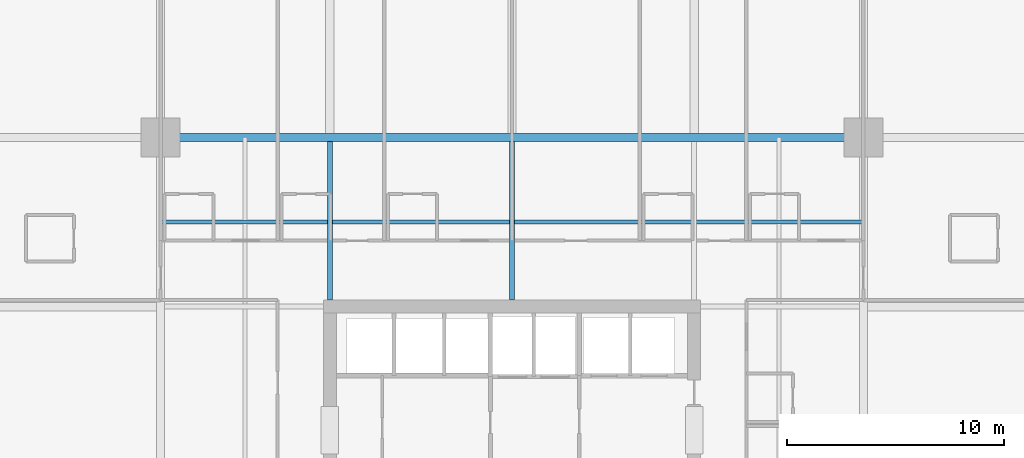
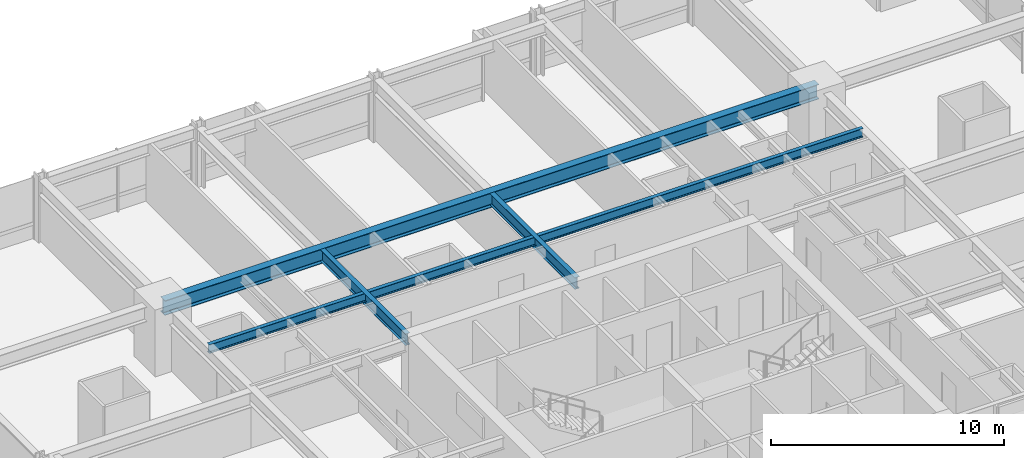
# One storey, part 20 of 38: 4 beams.
"""IFC4 building model written with IfcOpenShell, lengths in metres."""

import ifcopenshell
import ifcopenshell.guid

model = None  # the IFC model being written
_history = None  # IfcOwnerHistory: only IFC2X3 demands one
_inside = {}  # id of a spatial element -> (the spatial element, [elements in it])
_under = {}  # id of a project, library or spatial element -> (it, [spatial elements below it])
_declared = {}  # id of a project -> (the project, [libraries it declares])
_typed = {}  # id of a type object -> (the type object, [elements of that type])
_made_of = {}  # id of a material, layer set ... -> (it, [elements and type objects made of it])


def new_model(schema):
    """Start an empty IFC model of exactly this schema.

    Asked for "IFC4X3", IfcOpenShell would pick the latest addendum, in which some entities
    have other attributes; the version numbers below select the first issue.
    IFC2X3 requires an IfcOwnerHistory on every rooted entity: one is made here for all.
    """
    global model, _history
    if schema == "IFC4X3":
        model = ifcopenshell.file(schema_version=(4, 3, 0, 0))
    else:
        model = ifcopenshell.file(schema=schema)
    _inside.clear()
    _under.clear()
    _declared.clear()
    _typed.clear()
    _made_of.clear()
    _history = None
    if model.schema == "IFC2X3":
        org = make("IfcOrganization", Name="unknown")
        user = make(
            "IfcPersonAndOrganization",
            ThePerson=make("IfcPerson", FamilyName="unknown"),
            TheOrganization=org,
        )
        app = make(
            "IfcApplication",
            ApplicationDeveloper=org,
            Version="unknown",
            ApplicationFullName="unknown",
            ApplicationIdentifier="unknown",
        )
        _history = make(
            "IfcOwnerHistory",
            OwningUser=user,
            OwningApplication=app,
            ChangeAction="ADDED",
            CreationDate=0,
        )
    return model


def make(cls, **values):
    """One entity of the class cls with the attributes given. An attribute that is None is left unset."""
    return model.create_entity(
        cls, **{name: value for name, value in values.items() if value is not None}
    )


def rooted(cls, **values):
    """An entity with a GlobalId (a new one), such as an element, a storey or a relation."""
    return make(cls, GlobalId=ifcopenshell.guid.new(), OwnerHistory=_history, **values)


def si_unit(unit_type, name, prefix=None):
    """IfcSIUnit, for example si_unit("LENGTHUNIT", "METRE", prefix="MILLI")."""
    return make("IfcSIUnit", UnitType=unit_type, Prefix=prefix, Name=name)


def assignment(units):
    """IfcUnitAssignment: the units of a project."""
    return None if units is None else make("IfcUnitAssignment", Units=units)


def point(xyz):
    """IfcCartesianPoint."""
    return None if xyz is None else make("IfcCartesianPoint", Coordinates=xyz)


def direction(xyz):
    """IfcDirection."""
    return None if xyz is None else make("IfcDirection", DirectionRatios=xyz)


def frame(location, z_axis=None, x_axis=None):
    """IfcAxis2Placement3D, a coordinate frame: its origin and axes. An axis left out is left unset."""
    return make(
        "IfcAxis2Placement3D",
        Location=point(location),
        Axis=direction(z_axis),
        RefDirection=direction(x_axis),
    )


def frame_2d(location, x_axis=None):
    """IfcAxis2Placement2D, a coordinate frame in the plane: its origin and x axis."""
    return make(
        "IfcAxis2Placement2D", Location=point(location), RefDirection=direction(x_axis)
    )


def origin():
    """The frame at (0, 0, 0) with its axes left unset."""
    return frame((0.0, 0.0, 0.0))


def origin_2d():
    """The frame at (0, 0) in the plane with its x axis left unset."""
    return frame_2d((0.0, 0.0))


def place(relative_to, where):
    """IfcLocalPlacement: puts the frame where relative to a parent placement (None: the world)."""
    return make(
        "IfcLocalPlacement", PlacementRelTo=relative_to, RelativePlacement=where
    )


def context(
    kind, dimensions, precision=None, world=None, true_north=None, identifier=None
):
    """IfcGeometricRepresentationContext, for example the 3D "Model" context."""
    return make(
        "IfcGeometricRepresentationContext",
        ContextIdentifier=identifier,
        ContextType=kind,
        CoordinateSpaceDimension=dimensions,
        Precision=precision,
        WorldCoordinateSystem=world,
        TrueNorth=true_north,
    )


def subcontext(parent, identifier, kind, view, scale=None):
    """IfcGeometricRepresentationSubContext, for example "Body" below "Model"."""
    return make(
        "IfcGeometricRepresentationSubContext",
        ContextIdentifier=identifier,
        ContextType=kind,
        ParentContext=parent,
        TargetScale=scale,
        TargetView=view,
    )


def project(units=None, contexts=None):
    """IfcProject with its units and contexts."""
    return rooted(
        "IfcProject",
        Name="project",
        RepresentationContexts=contexts,
        UnitsInContext=assignment(units),
    )


def spatial(cls, under=None, at=None, **own):
    """A site, building, storey or space (cls), placed at a placement, below another one or the project."""
    s = rooted(cls, ObjectPlacement=at, **own)
    if under is not None:
        _under.setdefault(under.id(), (under, []))[1].append(s)
    return s


def profile(cls, at=None, kind="AREA", **sizes):
    """A parametric profile (cls). Its sizes go by their IFC names, for example OverallWidth=200.0."""
    return make(cls, ProfileType=kind, Position=at, **sizes)


def i_section(**sizes):
    """IfcIShapeProfileDef."""
    return profile("IfcIShapeProfileDef", **sizes)


def extrude(swept, where, along, depth):
    """IfcExtrudedAreaSolid: the profile swept, set in the frame where, extruded along a direction by depth."""
    return make(
        "IfcExtrudedAreaSolid",
        SweptArea=swept,
        Position=where,
        ExtrudedDirection=direction(along),
        Depth=depth,
    )


def shape(context_of_items, identifier, shape_type, items):
    """IfcShapeRepresentation: the items that make up one representation, for example the "Body"."""
    return make(
        "IfcShapeRepresentation",
        ContextOfItems=context_of_items,
        RepresentationIdentifier=identifier,
        RepresentationType=shape_type,
        Items=items,
    )


def material(Name=None, Category=None):
    """IfcMaterial."""
    return make("IfcMaterial", Name=Name, Category=Category)


def material_profile(
    of_material, cross_section, Name=None, Category=None, Priority=None
):
    """IfcMaterialProfile: a cross section and its material."""
    return make(
        "IfcMaterialProfile",
        Name=Name,
        Material=of_material,
        Profile=cross_section,
        Priority=Priority,
        Category=Category,
    )


def profile_set(profiles, Name=None, composite=None):
    """IfcMaterialProfileSet."""
    return make(
        "IfcMaterialProfileSet",
        Name=Name,
        MaterialProfiles=profiles,
        CompositeProfile=composite,
    )


def made_of(thing, what):
    """Note that an element or type object is made of a material, layer set ...; save() writes the relation."""
    if what is not None:
        _made_of.setdefault(what.id(), (what, []))[1].append(thing)
    return thing


def type_object(cls, material=None, **own):
    """A type object (cls), such as IfcWallType, which elements share."""
    return made_of(rooted(cls, **own), material)


def element(
    cls,
    number,
    at=None,
    inside=None,
    cuts=None,
    type_object=None,
    material=None,
    context=None,
    identifier="Body",
    shape_type=None,
    held_by="IfcProductDefinitionShape",
    body=None,
    shapes=None,
    **own,
):
    """One element of the class cls, such as IfcWall. Its Tag is "e" and its number.

    at: its placement. inside: the storey or other place that contains it. cuts: it is an
    opening in that element (IfcRelVoidsElement). A single representation is given by context,
    identifier, shape_type and body (its items); several are given by shapes. held_by: the class
    of the entity that holds the representations. save() writes the other relations.
    """
    e = rooted(cls, Tag="e%d" % number, ObjectPlacement=at, **own)
    if body is not None:
        shapes = [shape(context, identifier, shape_type, body)]
    if shapes is not None:
        e.Representation = make(held_by, Representations=shapes)
    if inside is not None:
        _inside.setdefault(inside.id(), (inside, []))[1].append(e)
    if cuts is not None:
        rooted(
            "IfcRelVoidsElement", RelatingBuildingElement=cuts, RelatedOpeningElement=e
        )
    if type_object is not None:
        _typed.setdefault(type_object.id(), (type_object, []))[1].append(e)
    return made_of(e, material)


def aggregate(whole, parts):
    """IfcRelAggregates: a whole, such as a stair, and the parts it consists of."""
    return rooted("IfcRelAggregates", RelatingObject=whole, RelatedObjects=parts)


def save(model, path):
    """Write the relations noted so far, then the file.

    IfcRelAggregates (storeys below a building ...), IfcRelContainedInSpatialStructure (elements
    in a storey), IfcRelDefinesByType, IfcRelAssociatesMaterial and IfcRelDeclares: one each for
    every whole, place, type object, material and project.
    """
    for whole, parts in _under.values():
        aggregate(whole, parts)
    for where, things in _inside.values():
        rooted(
            "IfcRelContainedInSpatialStructure",
            RelatedElements=things,
            RelatingStructure=where,
        )
    for kind, things in _typed.values():
        rooted("IfcRelDefinesByType", RelatedObjects=things, RelatingType=kind)
    for what, things in _made_of.values():
        rooted("IfcRelAssociatesMaterial", RelatedObjects=things, RelatingMaterial=what)
    for by, libraries in _declared.values():
        rooted("IfcRelDeclares", RelatingContext=by, RelatedDefinitions=libraries)
    model.write(path)


model = new_model("IFC4")

# Units and contexts
model_context = context("Model", 3, precision=1e-05, world=origin(), true_north=direction((0.0, 1.0)))
body_context = subcontext(model_context, "Body", "Model", "MODEL_VIEW")
ifc_project = project(units=[si_unit("LENGTHUNIT", "METRE"), si_unit("AREAUNIT", "SQUARE_METRE"), si_unit("VOLUMEUNIT", "CUBIC_METRE"), si_unit("PLANEANGLEUNIT", "RADIAN"), si_unit("MASSUNIT", "GRAM", prefix="KILO")], contexts=[model_context])

# Site, building, storey
site_placement = place(None, origin())
site = spatial("IfcSite", under=ifc_project, at=site_placement, CompositionType="ELEMENT")
building_placement = place(site_placement, origin())
building = spatial("IfcBuilding", under=site, at=building_placement, Name="Drelvath Grand Hotel", CompositionType="ELEMENT")
storey_placement = place(building_placement, frame((0.0, 0.0, 64.699951171875)))
storey = spatial("IfcBuildingStorey", under=building, at=storey_placement, Name="L15", CompositionType="ELEMENT", Elevation=64.699951171875)

# Beams
ifc_material = material(Name="Steel ASTM A992 Gr 50", Category="steel")
ifc_material_profile_1 = material_profile(ifc_material, i_section(OverallWidth=0.19140625, OverallDepth=0.4599609375, WebThickness=0.010009765625, FlangeThickness=0.01611328125, FilletRadius=0.01611328125, at=origin_2d()), Name="W18X55")
ifc_profile_set_1 = profile_set([ifc_material_profile_1], Name="Steel ASTM A992 Gr 50")
beam_type_1 = type_object("IfcBeamType", Name="Composite Floor Joist W18X55", PredefinedType="JOIST", material=ifc_profile_set_1)
beam_1_placement = place(storey_placement, frame((-16.199951171875, 39.300048828125, 3.010009765625), z_axis=(1.0, 0.0, 0.0), x_axis=(0.0, 1.0, 0.0)))
element("IfcBeam", 1, at=beam_1_placement, inside=storey, type_object=beam_type_1, Name="L15 Floor Joist J2", PredefinedType="JOIST", context=body_context, shape_type="SweptSolid", body=[
    extrude(i_section(OverallWidth=0.19140625, OverallDepth=0.4599609375, WebThickness=0.010009765625, FlangeThickness=0.01611328125, FilletRadius=0.01611328125, at=origin_2d()), origin(), (0.0, 0.0, 1.0), 32.39990234375),
])
ifc_material_profile_2 = material_profile(ifc_material, i_section(OverallWidth=0.228271484375, OverallDepth=0.607666015625, WebThickness=0.01123046875, FlangeThickness=0.017333984375, FilletRadius=0.02001953125, at=origin_2d()), Name="W24X76")
ifc_profile_set_2 = profile_set([ifc_material_profile_2], Name="Steel ASTM A992 Gr 50")
beam_type_2 = type_object("IfcBeamType", Name="Primary Floor Girder W24X76", PredefinedType="BEAM", material=ifc_profile_set_2)
for number, where, z_axis, x_axis, name in (
    (2, (-8.39990234375, 35.699951171875, 2.936279296875), (0.0, 1.0, 0.0), (-1.0, 0.0, 0.0), "L15 North Core Tie 4"),
    (3, (0.0, 35.699951171875, 2.936279296875), (0.0, 1.0, 0.0), (-1.0, 0.0, 0.0), "L15 North Core Tie 5"),
):
    element("IfcBeam", number, at=place(storey_placement, frame(where, z_axis=z_axis, x_axis=x_axis)), inside=storey, type_object=beam_type_2, Name=name, PredefinedType="BEAM", context=body_context, shape_type="SweptSolid", body=[
        extrude(i_section(OverallWidth=0.228271484375, OverallDepth=0.607666015625, WebThickness=0.01123046875, FlangeThickness=0.017333984375, FilletRadius=0.02001953125, at=origin_2d()), origin(), (0.0, 0.0, 1.0), 7.309814453125),
    ])
ifc_material_profile_3 = material_profile(ifc_material, i_section(OverallWidth=0.380615234375, OverallDepth=0.773193359375, WebThickness=0.0166015625, FlangeThickness=0.027099609375, FilletRadius=0.02490234375, at=origin_2d()), Name="W30X173")
ifc_profile_set_3 = profile_set([ifc_material_profile_3], Name="Steel ASTM A992 Gr 50")
beam_type_3 = type_object("IfcBeamType", Name="Primary Floor Girder W30X173", PredefinedType="BEAM", material=ifc_profile_set_3)
beam_2_placement = place(storey_placement, frame((-16.199951171875, 43.199951171875, 2.853515625), z_axis=(1.0, 0.0, 0.0), x_axis=(0.0, 1.0, 0.0)))
element("IfcBeam", 4, at=beam_2_placement, inside=storey, type_object=beam_type_3, Name="L15 Mega Ring Girder North", PredefinedType="BEAM", context=body_context, shape_type="SweptSolid", body=[
    extrude(i_section(OverallWidth=0.380615234375, OverallDepth=0.773193359375, WebThickness=0.0166015625, FlangeThickness=0.027099609375, FilletRadius=0.02490234375, at=origin_2d()), origin(), (0.0, 0.0, 1.0), 32.39990234375),
])

save(model, "model.ifc")
